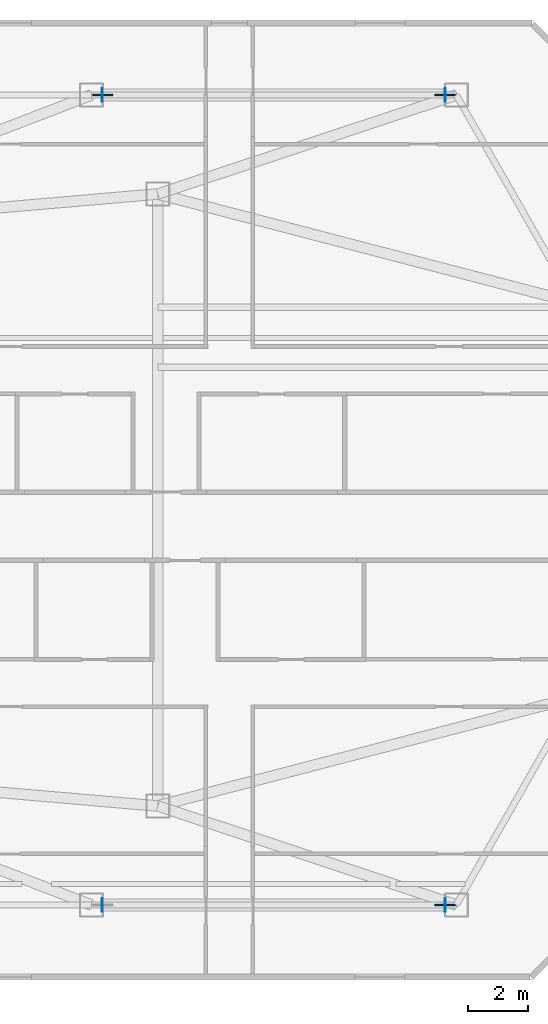
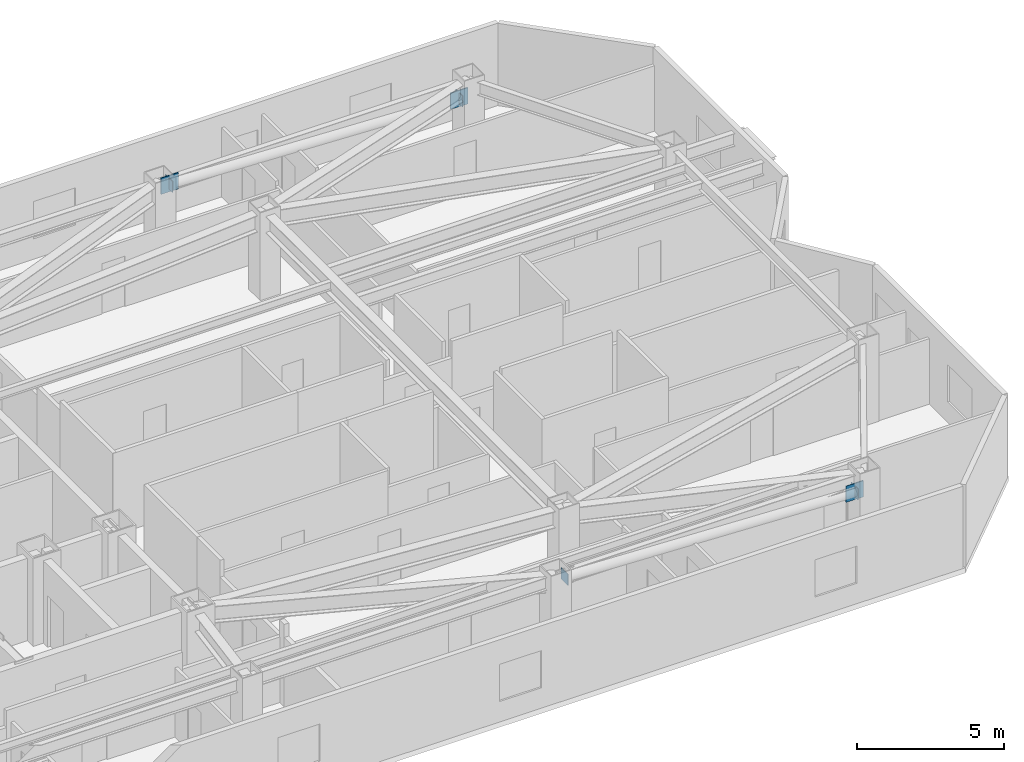
# One storey, part 3 of 9: 7 plates.
"""IFC4 building model written with IfcOpenShell, lengths in metres."""

from ifc_helpers import new_model, si_unit, direction, frame, origin, origin_2d, place, context, subcontext, project, spatial, rectangle, extrude, material, layer, layer_set, type_object, element, save


model = new_model("IFC4")

# Units and contexts
model_context = context("Model", 3, precision=1e-05, world=origin(), true_north=direction((0.0, 1.0)))
body_context = subcontext(model_context, "Body", "Model", "MODEL_VIEW")
ifc_project = project(units=[si_unit("LENGTHUNIT", "METRE"), si_unit("AREAUNIT", "SQUARE_METRE"), si_unit("VOLUMEUNIT", "CUBIC_METRE"), si_unit("PLANEANGLEUNIT", "RADIAN"), si_unit("MASSUNIT", "GRAM", prefix="KILO")], contexts=[model_context])

# Site, building, storey
site_placement = place(None, origin())
site = spatial("IfcSite", under=ifc_project, at=site_placement, CompositionType="ELEMENT")
building_placement = place(site_placement, origin())
building = spatial("IfcBuilding", under=site, at=building_placement, Name="Khamvora Tower", CompositionType="ELEMENT")
storey_placement = place(building_placement, frame((0.0, 0.0, 224.5)))
storey = spatial("IfcBuildingStorey", under=building, at=storey_placement, Name="L57", CompositionType="ELEMENT", Elevation=224.5)

# Plates
ifc_material_1 = material(Name="Steel S355", Category="steel")
ifc_layer_1 = layer(ifc_material_1, 0.02490234375)
ifc_layer_set_1 = layer_set([ifc_layer_1], Name="Steel S355")
plate_type_1 = type_object("IfcPlateType", Name="PL-CAP-25", PredefinedType="SHEET", material=ifc_layer_set_1)
for number, where, z_axis, x_axis, name in (
    (1, (62.882080078125, 14.5, 2.4619140625), (0.0, 0.0, 1.0), (-1.0, 0.0, 0.0), "L57 hollow section steel end cap plate 1138"),
    (2, (51.450927734375, 14.5, 2.9150390625), (0.0, 0.0, 1.0), (-1.0, 0.0, 0.0), "L57 hollow section steel end cap plate 1139"),
    (3, (62.882080078125, 41.5, 2.4619140625), (0.0, 0.0, 1.0), (-1.0, 0.0, 0.0), "L57 hollow section steel end cap plate 1140"),
    (4, (51.450927734375, 41.5, 2.9150390625), (0.0, 0.0, 1.0), (-1.0, 0.0, 0.0), "L57 hollow section steel end cap plate 1141"),
):
    element("IfcPlate", number, at=place(storey_placement, frame(where, z_axis=z_axis, x_axis=x_axis)), inside=storey, type_object=plate_type_1, Name=name, PredefinedType="SHEET", context=body_context, shape_type="SweptSolid", body=[
        extrude(rectangle(XDim=0.02490234375, YDim=0.466064453125, at=origin_2d()), origin(), (0.0, 0.0, 1.0), 0.466064453125),
    ])
ifc_material_2 = material(Name="Steel S460", Category="steel")
ifc_layer_2 = layer(ifc_material_2, 0.0400390625)
ifc_layer_set_2 = layer_set([ifc_layer_2], Name="Steel S460")
plate_type_2 = type_object("IfcPlateType", Name="PLT-GUS-40", PredefinedType="SHEET", material=ifc_layer_set_2)
for number, where, z_axis, x_axis, name in (
    (5, (62.8701171875, 14.5, 2.35498046875), (0.0, 0.0, 1.0), (1.0, 0.0, 0.0), "L57 brace connection node gusset plate 0381"),
    (6, (62.8701171875, 41.5, 2.35498046875), (0.0, 0.0, 1.0), (1.0, 0.0, 0.0), "L57 brace connection node gusset plate 0383"),
    (7, (51.462890625, 41.5, 2.80810546875), (0.0, 0.0, 1.0), (1.0, 0.0, 0.0), "L57 brace connection node gusset plate 0384"),
):
    element("IfcPlate", number, at=place(storey_placement, frame(where, z_axis=z_axis, x_axis=x_axis)), inside=storey, type_object=plate_type_2, Name=name, PredefinedType="SHEET", context=body_context, shape_type="SweptSolid", body=[
        extrude(rectangle(XDim=0.679931640625, YDim=0.0400390625, at=origin_2d()), origin(), (0.0, 0.0, 1.0), 0.679931640625),
    ])

save(model, "model.ifc")
